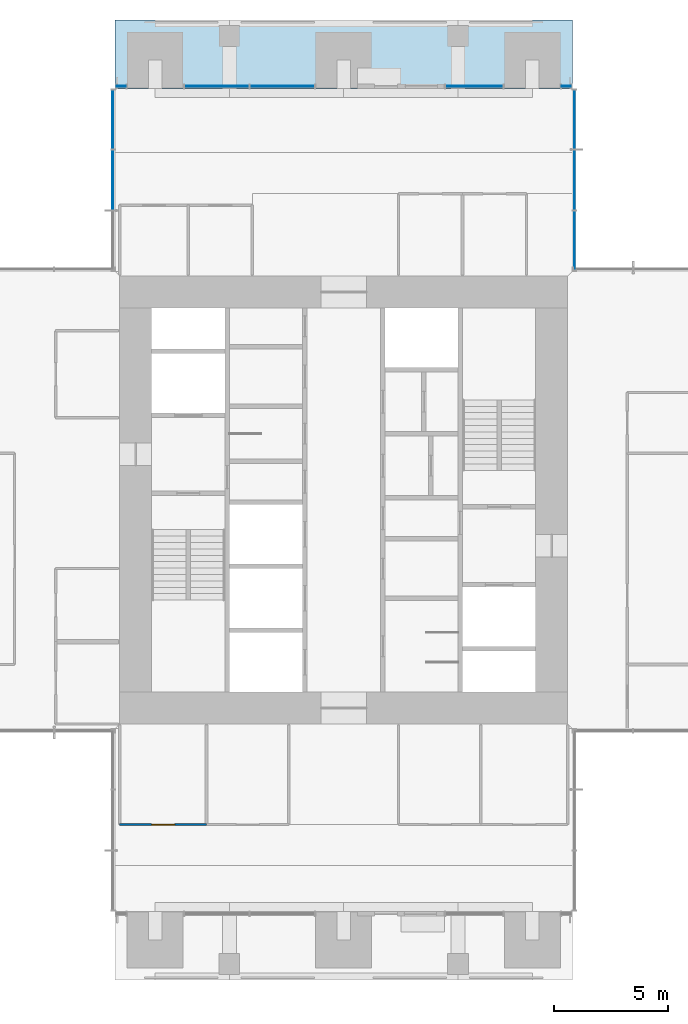
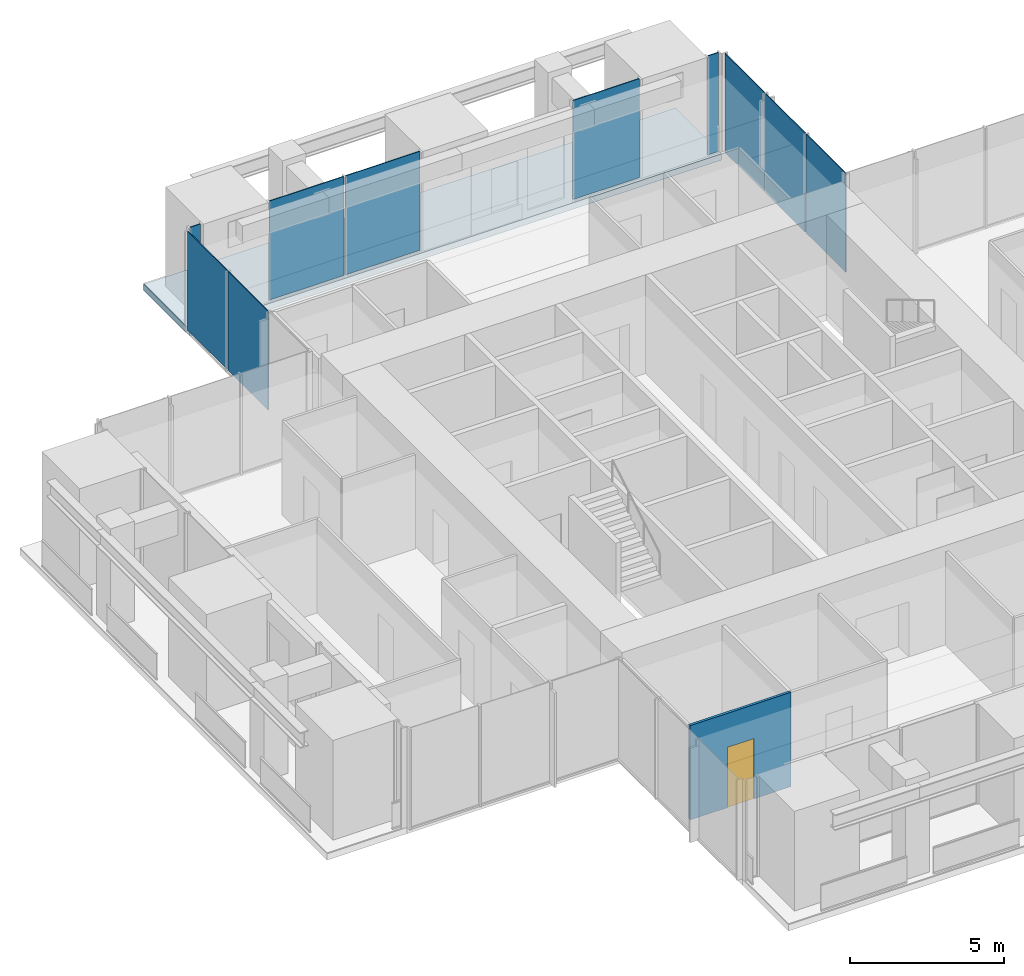
# One storey, part 11 of 17: 10 plates, 1 door, 1 slab, 1 wall, 1 opening, 6 elements without a shape of their own.
"""IFC4 building model written with IfcOpenShell, lengths in metres."""

from ifc_helpers import new_model, si_unit, direction, frame, frame_2d, origin, origin_2d, place, context, subcontext, project, spatial, polyline, rectangle, outline, extrude, material, layer, layer_set, type_object, element, fill, aggregate, save


model = new_model("IFC4")

# Units and contexts
model_context = context("Model", 3, precision=1e-05, world=origin(), true_north=direction((0.0, 1.0)))
body_context = subcontext(model_context, "Body", "Model", "MODEL_VIEW")
ifc_project = project(units=[si_unit("LENGTHUNIT", "METRE"), si_unit("AREAUNIT", "SQUARE_METRE"), si_unit("VOLUMEUNIT", "CUBIC_METRE"), si_unit("PLANEANGLEUNIT", "RADIAN"), si_unit("MASSUNIT", "GRAM", prefix="KILO")], contexts=[model_context])

# Site, building, storey
site_placement = place(None, origin())
site = spatial("IfcSite", under=ifc_project, at=site_placement, CompositionType="ELEMENT")
building_placement = place(site_placement, origin())
building = spatial("IfcBuilding", under=site, at=building_placement, Name="Svetlomir Tower", CompositionType="ELEMENT")
storey_placement = place(building_placement, frame((0.0, 0.0, 202.5)))
storey = spatial("IfcBuildingStorey", under=building, at=storey_placement, Name="L48", CompositionType="ELEMENT", Elevation=202.5)

# Curtain wall, plates
ifc_material_1 = material(Name="Bronze anodised aluminium curtain wall", Category="aluminium")
curtain_wall_type = type_object("IfcCurtainWallType", Name="CURTAIN WALL CW1 TOWER OFFICE", PredefinedType="NOTDEFINED", material=ifc_material_1)
curtain_wall_1_placement = place(storey_placement, origin())
curtain_wall_1 = element("IfcCurtainWall", 1, at=curtain_wall_1_placement, inside=storey, type_object=curtain_wall_type, Name="Curtain wall CW1 L48", PredefinedType="NOTDEFINED")
ifc_material_2 = material(Name="Tinted double glazed unit", Category="glass")
ifc_layer_1 = layer(ifc_material_2, 0.031982421875)
ifc_layer_set_1 = layer_set([ifc_layer_1], Name="Tinted double glazed unit")
plate_type = type_object("IfcPlateType", Name="CW1 GLAZED PANEL 32", PredefinedType="CURTAIN_PANEL", material=ifc_layer_set_1)
plate_1_placement = place(storey_placement, frame((31.10009765625, 32.349609375, 0.06494140625), z_axis=(0.0, 0.0, 1.0), x_axis=(0.0, 1.0, 0.0)))
plate_1 = element("IfcPlate", 2, at=plate_1_placement, type_object=plate_type, Name="CW1 panel 1.1", PredefinedType="CURTAIN_PANEL", context=body_context, shape_type="SweptSolid", body=[
    extrude(rectangle(XDim=2.569091796875, YDim=0.031982421875, at=origin_2d()), origin(), (0.0, 0.0, 1.0), 3.93505859375),
])
plate_2_placement = place(storey_placement, frame((31.10009765625, 35.0, 0.06494140625), z_axis=(0.0, 0.0, 1.0), x_axis=(0.0, 1.0, 0.0)))
plate_2 = element("IfcPlate", 3, at=plate_2_placement, type_object=plate_type, Name="CW1 panel 2.1", PredefinedType="CURTAIN_PANEL", context=body_context, shape_type="SweptSolid", body=[
    extrude(rectangle(XDim=2.6015625, YDim=0.031982421875, at=origin_2d()), origin(), (0.0, 0.0, 1.0), 3.93505859375),
])
plate_3_placement = place(storey_placement, frame((31.10009765625, 37.650390625, 0.06494140625), z_axis=(0.0, 0.0, 1.0), x_axis=(0.0, 1.0, 0.0)))
plate_3 = element("IfcPlate", 4, at=plate_3_placement, type_object=plate_type, Name="CW1 panel 3.1", PredefinedType="CURTAIN_PANEL", context=body_context, shape_type="SweptSolid", body=[
    extrude(rectangle(XDim=2.569091796875, YDim=0.031982421875, at=origin_2d()), origin(), (0.0, 0.0, 1.0), 3.93505859375),
])
aggregate(curtain_wall_1, [plate_1, plate_2, plate_3])

# Curtain wall, plate
curtain_wall_2_placement = place(storey_placement, origin())
curtain_wall_2 = element("IfcCurtainWall", 5, at=curtain_wall_2_placement, inside=storey, type_object=curtain_wall_type, Name="Curtain wall CW1 L48", PredefinedType="NOTDEFINED")
plate_4_placement = place(storey_placement, frame((30.737548828125, 39.10009765625, 0.06494140625), z_axis=(0.0, 0.0, 1.0), x_axis=(-1.0, 0.0, 0.0)))
plate_4 = element("IfcPlate", 6, at=plate_4_placement, type_object=plate_type, Name="CW1 panel 1.1", PredefinedType="CURTAIN_PANEL", context=body_context, shape_type="SweptSolid", body=[
    extrude(rectangle(XDim=0.39501953125, YDim=0.031982421875, at=origin_2d()), origin(), (0.0, 0.0, 1.0), 3.93505859375),
])
aggregate(curtain_wall_2, [plate_4])

curtain_wall_3_placement = place(storey_placement, origin())
curtain_wall_3 = element("IfcCurtainWall", 7, at=curtain_wall_3_placement, inside=storey, type_object=curtain_wall_type, Name="Curtain wall CW1 L48", PredefinedType="NOTDEFINED")
plate_5_placement = place(storey_placement, frame((26.71240234375, 39.10009765625, 0.06494140625), z_axis=(0.0, 0.0, 1.0), x_axis=(-1.0, 0.0, 0.0)))
plate_5 = element("IfcPlate", 8, at=plate_5_placement, type_object=plate_type, Name="CW1 panel 1.1", PredefinedType="CURTAIN_PANEL", context=body_context, shape_type="SweptSolid", body=[
    extrude(rectangle(XDim=2.4951171875, YDim=0.031982421875, at=origin_2d()), origin(), (0.0, 0.0, 1.0), 3.93505859375),
])
aggregate(curtain_wall_3, [plate_5])

# Curtain wall, plates
curtain_wall_4_placement = place(storey_placement, origin())
curtain_wall_4 = element("IfcCurtainWall", 9, at=curtain_wall_4_placement, inside=storey, type_object=curtain_wall_type, Name="Curtain wall CW1 L48", PredefinedType="NOTDEFINED")
plate_6_placement = place(storey_placement, frame((18.308837890625, 39.10009765625, 0.06494140625), z_axis=(0.0, 0.0, 1.0), x_axis=(-1.0, 0.0, 0.0)))
plate_6 = element("IfcPlate", 10, at=plate_6_placement, type_object=plate_type, Name="CW1 panel 1.1", PredefinedType="CURTAIN_PANEL", context=body_context, shape_type="SweptSolid", body=[
    extrude(rectangle(XDim=2.802490234375, YDim=0.031982421875, at=origin_2d()), origin(), (0.0, 0.0, 1.0), 3.93505859375),
])
plate_7_placement = place(storey_placement, frame((15.441162109375, 39.10009765625, 0.06494140625), z_axis=(0.0, 0.0, 1.0), x_axis=(-1.0, 0.0, 0.0)))
plate_7 = element("IfcPlate", 11, at=plate_7_placement, type_object=plate_type, Name="CW1 panel 2.1", PredefinedType="CURTAIN_PANEL", context=body_context, shape_type="SweptSolid", body=[
    extrude(rectangle(XDim=2.802490234375, YDim=0.031982421875, at=origin_2d()), origin(), (0.0, 0.0, 1.0), 3.93505859375),
])
aggregate(curtain_wall_4, [plate_6, plate_7])

# Curtain wall, plate
curtain_wall_5_placement = place(storey_placement, origin())
curtain_wall_5 = element("IfcCurtainWall", 12, at=curtain_wall_5_placement, inside=storey, type_object=curtain_wall_type, Name="Curtain wall CW1 L48", PredefinedType="NOTDEFINED")
plate_8_placement = place(storey_placement, frame((11.262451171875, 39.10009765625, 0.06494140625), z_axis=(0.0, 0.0, 1.0), x_axis=(-1.0, 0.0, 0.0)))
plate_8 = element("IfcPlate", 13, at=plate_8_placement, type_object=plate_type, Name="CW1 panel 1.1", PredefinedType="CURTAIN_PANEL", context=body_context, shape_type="SweptSolid", body=[
    extrude(rectangle(XDim=0.39501953125, YDim=0.031982421875, at=origin_2d()), origin(), (0.0, 0.0, 1.0), 3.93505859375),
])
aggregate(curtain_wall_5, [plate_8])

# Curtain wall, plates
curtain_wall_6_placement = place(storey_placement, origin())
curtain_wall_6 = element("IfcCurtainWall", 14, at=curtain_wall_6_placement, inside=storey, type_object=curtain_wall_type, Name="Curtain wall CW1 L48", PredefinedType="NOTDEFINED")
plate_9_placement = place(storey_placement, frame((10.89990234375, 37.650390625, 0.06494140625), z_axis=(0.0, 0.0, 1.0), x_axis=(0.0, -1.0, 0.0)))
plate_9 = element("IfcPlate", 15, at=plate_9_placement, type_object=plate_type, Name="CW1 panel 1.1", PredefinedType="CURTAIN_PANEL", context=body_context, shape_type="SweptSolid", body=[
    extrude(rectangle(XDim=2.569091796875, YDim=0.031982421875, at=origin_2d()), origin(), (0.0, 0.0, 1.0), 3.93505859375),
])
plate_10_placement = place(storey_placement, frame((10.89990234375, 35.0, 0.06494140625), z_axis=(0.0, 0.0, 1.0), x_axis=(0.0, -1.0, 0.0)))
plate_10 = element("IfcPlate", 16, at=plate_10_placement, type_object=plate_type, Name="CW1 panel 2.1", PredefinedType="CURTAIN_PANEL", context=body_context, shape_type="SweptSolid", body=[
    extrude(rectangle(XDim=2.6015625, YDim=0.031982421875, at=origin_2d()), origin(), (0.0, 0.0, 1.0), 3.93505859375),
])
aggregate(curtain_wall_6, [plate_9, plate_10])

# Slab
ifc_material_3 = material(Name="Concrete C60/75", Category="concrete")
ifc_layer_2 = layer(ifc_material_3, 0.25)
ifc_layer_set_2 = layer_set([ifc_layer_2], Name="Concrete C60/75")
slab_type = type_object("IfcSlabType", Name="PLANTED LOGGIA SLAB 250", PredefinedType="FLOOR", material=ifc_layer_set_2)
slab_placement = place(storey_placement, frame((0.0, 0.0, -0.25)))
element("IfcSlab", 17, at=slab_placement, inside=storey, type_object=slab_type, Name="L48 N planted loggia", PredefinedType="FLOOR", context=body_context, shape_type="SweptSolid", body=[
    extrude(outline(polyline([(11.0, 39.0), (31.0, 39.0), (31.0, 42.0), (11.0, 42.0), (11.0, 39.0)])), origin(), (0.0, 0.0, 1.0), 0.25),
])

# Wall, opening, door
ifc_material_4 = material(Name="Framed laminated glass partition", Category="glass")
ifc_layer_3 = layer(ifc_material_4, 0.10009765625)
ifc_layer_set_3 = layer_set([ifc_layer_3], Name="Framed laminated glass partition")
wall_type = type_object("IfcWallType", Name="GLAZED PARTITION 100", PredefinedType="PARTITIONING", material=ifc_layer_set_3)
wall_placement = place(storey_placement, frame((11.199951171875, 6.800048828125, 0.0), z_axis=(0.0, 0.0, 1.0), x_axis=(1.0, 0.0, 0.0)))
wall = element("IfcWall", 18, at=wall_placement, inside=storey, type_object=wall_type, Name="Glazed partition L48", PredefinedType="PARTITIONING", context=body_context, shape_type="SweptSolid", body=[
    extrude(rectangle(XDim=3.800048828125, YDim=0.10009765625, at=frame_2d((1.89990234375, 0.0))), origin(), (0.0, 0.0, 1.0), 3.75),
])
opening_placement = place(wall_placement, frame((1.39990234375, 0.0, 0.0)))
opening = element("IfcOpeningElement", 19, at=opening_placement, cuts=wall, Name="Opening DG", PredefinedType="OPENING", context=body_context, shape_type="SweptSolid", body=[
    extrude(rectangle(XDim=1.0, YDim=2.39990234375, at=frame_2d((0.5, 1.199951171875))), frame((0.0, 0.06005859375, 0.0), z_axis=(0.0, -1.0, 0.0), x_axis=(1.0, 0.0, 0.0)), (0.0, 0.0, 1.0), 0.1201171875),
])
ifc_material_5 = material(Name="Framed laminated glass door", Category="glass")
door_type = type_object("IfcDoorType", Name="GLAZED DOOR DG 1000x2400", OperationType="SINGLE_SWING_LEFT", PredefinedType="DOOR", material=ifc_material_5)
door_placement = place(opening_placement, origin())
door = element("IfcDoor", 20, at=door_placement, inside=storey, type_object=door_type, Name="Squad room 1 door L48", OperationType="SINGLE_SWING_RIGHT", OverallHeight=2.39990234375, OverallWidth=1.0, PredefinedType="DOOR", context=body_context, shape_type="SweptSolid", body=[
    extrude(rectangle(XDim=1.0, YDim=2.39990234375, at=frame_2d((0.5, 1.199951171875))), frame((0.0, 0.02490234375, 0.0), z_axis=(0.0, -1.0, 0.0), x_axis=(1.0, 0.0, 0.0)), (0.0, 0.0, 1.0), 0.050048828125),
])
fill(opening, door)

save(model, "model.ifc")
